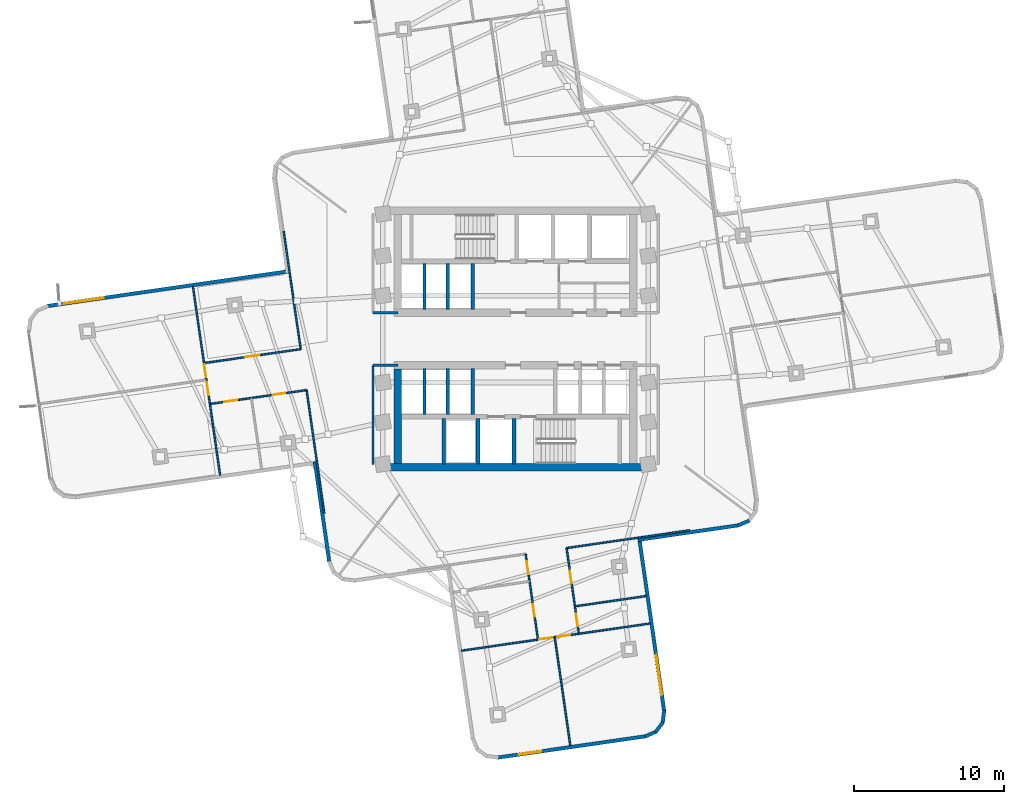
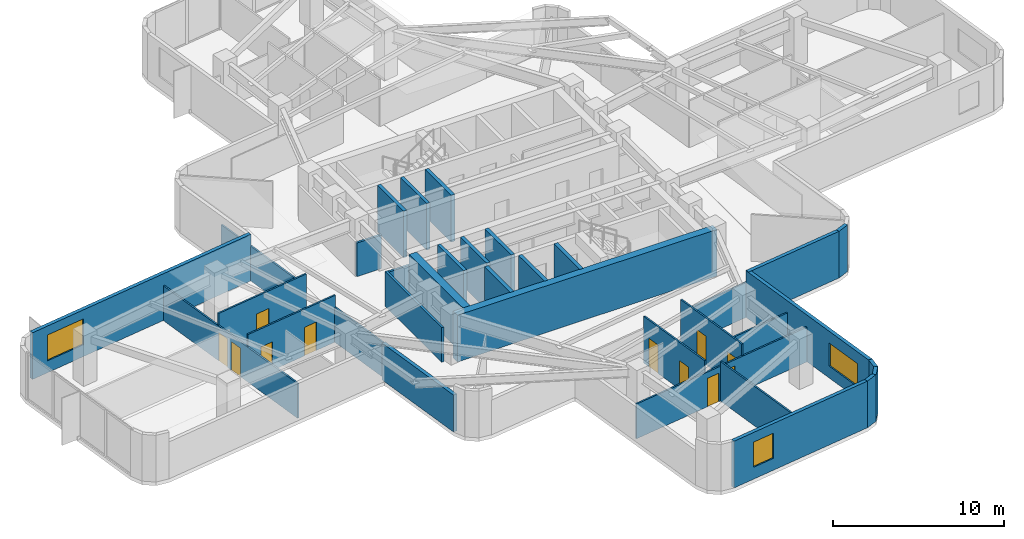
# One storey, part 6 of 13: 34 walls, 11 doors, 3 windows, 14 openings.
"""IFC4 building model written with IfcOpenShell, lengths in metres."""

from ifc_helpers import new_model, si_unit, direction, frame, frame_2d, origin, place, context, subcontext, project, spatial, rectangle, extrude, material, layer, layer_set, type_object, element, fill, save


model = new_model("IFC4")

# Units and contexts
model_context = context("Model", 3, precision=1e-05, world=origin(), true_north=direction((0.0, 1.0)))
body_context = subcontext(model_context, "Body", "Model", "MODEL_VIEW")
ifc_project = project(units=[si_unit("LENGTHUNIT", "METRE"), si_unit("AREAUNIT", "SQUARE_METRE"), si_unit("VOLUMEUNIT", "CUBIC_METRE"), si_unit("PLANEANGLEUNIT", "RADIAN"), si_unit("MASSUNIT", "GRAM", prefix="KILO")], contexts=[model_context])

# Site, building, storey
site_placement = place(None, origin())
site = spatial("IfcSite", under=ifc_project, at=site_placement, CompositionType="ELEMENT")
building_placement = place(site_placement, origin())
building = spatial("IfcBuilding", under=site, at=building_placement, Name="Solmarez Civic Tower", CompositionType="ELEMENT")
storey_placement = place(building_placement, frame((0.0, 0.0, 89.280029296875)))
storey = spatial("IfcBuildingStorey", under=building, at=storey_placement, Name="L23", CompositionType="ELEMENT", Elevation=89.280029296875)

# Walls
ifc_material_1 = material(Name="Concrete C60/75", Category="concrete")
ifc_layer_1 = layer(ifc_material_1, 0.5)
ifc_layer_set_1 = layer_set([ifc_layer_1], Name="Concrete C60/75")
wall_type_1 = type_object("IfcWallType", Name="WALL-CORE-500", PredefinedType="SHEAR", material=ifc_layer_set_1)
wall_1_placement = place(storey_placement, frame((8.780029296875, -8.56005859375, 0.0), z_axis=(0.0, 0.0, 1.0), x_axis=(-1.0, 0.0, 0.0)))
element("IfcWall", 1, at=wall_1_placement, inside=storey, type_object=wall_type_1, Name="L23 Split-Core Structural Wall SCW-S-L23", PredefinedType="SHEAR", context=body_context, shape_type="SweptSolid", body=[
    extrude(rectangle(XDim=17.56005859375, YDim=0.5, at=frame_2d((8.780029296875, 0.0))), origin(), (0.0, 0.0, 1.0), 3.340087890625),
])
wall_2_placement = place(storey_placement, frame((-7.8701171875, -8.31005859375, 0.0), z_axis=(0.0, 0.0, 1.0), x_axis=(0.0, 1.0, 0.0)))
element("IfcWall", 2, at=wall_2_placement, inside=storey, type_object=wall_type_1, Name="L23 Split-Core Structural Wall SCW-W-L23", PredefinedType="SHEAR", context=body_context, shape_type="SweptSolid", body=[
    extrude(rectangle(XDim=6.31005859375, YDim=0.5, at=frame_2d((3.155029296875, 0.0))), origin(), (0.0, 0.0, 1.0), 3.340087890625),
])

# Wall, opening, window
ifc_material_2 = material(Name="Precast concrete C40/50", Category="concrete")
ifc_layer_2 = layer(ifc_material_2, 0.239990234375)
ifc_layer_set_2 = layer_set([ifc_layer_2], Name="Precast concrete C40/50")
wall_type_2 = type_object("IfcWallType", Name="WALL-EXT-240", PredefinedType="SOLIDWALL", material=ifc_layer_set_2)
wall_3_placement = place(storey_placement, frame((-31.243896484375, 2.2060546875, 0.0), z_axis=(0.0, 0.0, 1.0), x_axis=(0.989771419035, 0.142662321802, 0.0)))
wall_3 = element("IfcWall", 3, at=wall_3_placement, inside=storey, type_object=wall_type_2, Name="L23 Exterior Precast Wall 10", PredefinedType="SOLIDWALL", context=body_context, shape_type="SweptSolid", body=[
    extrude(rectangle(XDim=16.2763671875, YDim=0.239990234375, at=frame_2d((8.13818359375, 0.0))), origin(), (0.0, 0.0, 1.0), 3.340087890625),
])
opening_1_placement = place(wall_3_placement, frame((1.10009765625, 0.0, 0.85009765625)))
opening_1 = element("IfcOpeningElement", 4, at=opening_1_placement, cuts=wall_3, Name="Opening W-05", PredefinedType="OPENING", context=body_context, shape_type="SweptSolid", body=[
    extrude(rectangle(XDim=2.699951171875, YDim=1.85009765625, at=frame_2d((1.35009765625, 0.925048828125))), frame((0.0, 0.1298828125, 0.0), z_axis=(0.0, -1.0, 0.0), x_axis=(1.0, 0.0, 0.0)), (0.0, 0.0, 1.0), 0.260009765625),
])
ifc_material_3 = material(Name="Solar Control Bronze-Tinted Insulating Glass", Category="glass")
window_type_1 = type_object("IfcWindowType", Name="WIN-2700X1850", PartitioningType="SINGLE_PANEL", PredefinedType="WINDOW", material=ifc_material_3)
window_1_placement = place(opening_1_placement, origin())
window_1 = element("IfcWindow", 5, at=window_1_placement, inside=storey, type_object=window_type_1, Name="L23 Exterior Facade Window 10", OverallHeight=1.85009765625, OverallWidth=2.699951171875, PartitioningType="SINGLE_PANEL", PredefinedType="WINDOW", context=body_context, shape_type="SweptSolid", body=[
    extrude(rectangle(XDim=2.699951171875, YDim=1.85009765625, at=frame_2d((1.35009765625, 0.925048828125))), frame((0.0, 0.030029296875, 0.0), z_axis=(0.0, -1.0, 0.0), x_axis=(1.0, 0.0, 0.0)), (0.0, 0.0, 1.0), 0.06005859375),
])
fill(opening_1, window_1)

# Walls
wall_4_placement = place(storey_placement, frame((15.60009765625, -12.1201171875, 0.0), z_axis=(0.0, 0.0, 1.0), x_axis=(-0.918795004047, -0.394735025731, 0.0)))
element("IfcWall", 6, at=wall_4_placement, inside=storey, type_object=wall_type_2, Name="L23 Exterior Precast Wall 52", PredefinedType="SOLIDWALL", context=body_context, shape_type="SweptSolid", body=[
    extrude(rectangle(XDim=0.83056640625, YDim=0.239990234375, at=frame_2d((0.415283203125, 0.0))), origin(), (0.0, 0.0, 1.0), 3.340087890625),
])
wall_5_placement = place(storey_placement, frame((14.885009765625, -12.43408203125, 0.0), z_axis=(0.0, 0.0, 1.0), x_axis=(-0.989767068769, -0.142692500085, 0.0)))
element("IfcWall", 7, at=wall_5_placement, inside=storey, type_object=wall_type_2, Name="L23 Exterior Precast Wall 53", PredefinedType="SOLIDWALL", context=body_context, shape_type="SweptSolid", body=[
    extrude(rectangle(XDim=6.775390625, YDim=0.239990234375, at=frame_2d((3.3876953125, 0.0))), origin(), (0.0, 0.0, 1.0), 3.340087890625),
])

# Wall, opening, window
wall_6_placement = place(storey_placement, frame((8.260009765625, -13.2919921875, 0.0), z_axis=(0.0, 0.0, 1.0), x_axis=(0.142694701612, -0.989766751377, 0.0)))
wall_6 = element("IfcWall", 8, at=wall_6_placement, inside=storey, type_object=wall_type_2, Name="L23 Exterior Precast Wall 56", PredefinedType="SOLIDWALL", context=body_context, shape_type="SweptSolid", body=[
    extrude(rectangle(XDim=11.67529296875, YDim=0.239990234375, at=frame_2d((5.837646484375, 0.0))), origin(), (0.0, 0.0, 1.0), 3.340087890625),
])
opening_2_placement = place(wall_6_placement, frame((7.875, 0.0, 0.85009765625)))
opening_2 = element("IfcOpeningElement", 9, at=opening_2_placement, cuts=wall_6, Name="Opening W-09", PredefinedType="OPENING", context=body_context, shape_type="SweptSolid", body=[
    extrude(rectangle(XDim=2.699951171875, YDim=1.64990234375, at=frame_2d((1.35009765625, 0.824951171875))), frame((0.0, 0.1298828125, 0.0), z_axis=(0.0, -1.0, 0.0), x_axis=(1.0, 0.0, 0.0)), (0.0, 0.0, 1.0), 0.260009765625),
])
window_type_2 = type_object("IfcWindowType", Name="WIN-2700X1650", PartitioningType="SINGLE_PANEL", PredefinedType="WINDOW", material=ifc_material_3)
window_2_placement = place(opening_2_placement, origin())
window_2 = element("IfcWindow", 10, at=window_2_placement, inside=storey, type_object=window_type_2, Name="L23 Exterior Facade Window 56", OverallHeight=1.64990234375, OverallWidth=2.699951171875, PartitioningType="SINGLE_PANEL", PredefinedType="WINDOW", context=body_context, shape_type="SweptSolid", body=[
    extrude(rectangle(XDim=2.699951171875, YDim=1.64990234375, at=frame_2d((1.35009765625, 0.824951171875))), frame((0.0, 0.030029296875, 0.0), z_axis=(0.0, -1.0, 0.0), x_axis=(1.0, 0.0, 0.0)), (0.0, 0.0, 1.0), 0.06005859375),
])
fill(opening_2, window_2)

# Walls
wall_7_placement = place(storey_placement, frame((9.925048828125, -24.798095703125, 0.0), z_axis=(0.0, 0.0, 1.0), x_axis=(-0.118136998224, -0.992997305963, 0.0)))
element("IfcWall", 11, at=wall_7_placement, inside=storey, type_object=wall_type_2, Name="L23 Exterior Precast Wall 57", PredefinedType="SOLIDWALL", context=body_context, shape_type="SweptSolid", body=[
    extrude(rectangle(XDim=0.830810546875, YDim=0.239990234375, at=frame_2d((0.41552734375, 0.0))), origin(), (0.0, 0.0, 1.0), 3.340087890625),
])
wall_8_placement = place(storey_placement, frame((9.844970703125, -25.577880859375, 0.0), z_axis=(0.0, 0.0, 1.0), x_axis=(-0.599759949003, -0.800179981986, 0.0)))
element("IfcWall", 12, at=wall_8_placement, inside=storey, type_object=wall_type_2, Name="L23 Exterior Precast Wall 58", PredefinedType="SOLIDWALL", context=body_context, shape_type="SweptSolid", body=[
    extrude(rectangle(XDim=0.813720703125, YDim=0.239990234375, at=frame_2d((0.40673828125, 0.0))), origin(), (0.0, 0.0, 1.0), 3.340087890625),
])
wall_9_placement = place(storey_placement, frame((9.39501953125, -26.198974609375, 0.0), z_axis=(0.0, 0.0, 1.0), x_axis=(-0.91864251547, -0.395089773053, 0.0)))
element("IfcWall", 13, at=wall_9_placement, inside=storey, type_object=wall_type_2, Name="L23 Exterior Precast Wall 59", PredefinedType="SOLIDWALL", context=body_context, shape_type="SweptSolid", body=[
    extrude(rectangle(XDim=0.83056640625, YDim=0.239990234375, at=frame_2d((0.415283203125, 0.0))), origin(), (0.0, 0.0, 1.0), 3.340087890625),
])

# Wall, opening, window
wall_10_placement = place(storey_placement, frame((8.679931640625, -26.512939453125, 0.0), z_axis=(0.0, 0.0, 1.0), x_axis=(-0.98976517122, -0.142705661552, 0.0)))
wall_10 = element("IfcWall", 14, at=wall_10_placement, inside=storey, type_object=wall_type_2, Name="L23 Exterior Precast Wall 60", PredefinedType="SOLIDWALL", context=body_context, shape_type="SweptSolid", body=[
    extrude(rectangle(XDim=9.97900390625, YDim=0.239990234375, at=frame_2d((4.989501953125, 0.0))), origin(), (0.0, 0.0, 1.0), 3.340087890625),
])
opening_3_placement = place(wall_10_placement, frame((7.033935546875, 0.0, 0.85009765625)))
opening_3 = element("IfcOpeningElement", 15, at=opening_3_placement, cuts=wall_10, Name="Opening W-13", PredefinedType="OPENING", context=body_context, shape_type="SweptSolid", body=[
    extrude(rectangle(XDim=1.5, YDim=1.800048828125, at=frame_2d((0.75, 0.89990234375))), frame((0.0, 0.1298828125, 0.0), z_axis=(0.0, -1.0, 0.0), x_axis=(1.0, 0.0, 0.0)), (0.0, 0.0, 1.0), 0.260009765625),
])
window_type_3 = type_object("IfcWindowType", Name="WIN-1500X1800", PartitioningType="SINGLE_PANEL", PredefinedType="WINDOW", material=ifc_material_3)
window_3_placement = place(opening_3_placement, origin())
window_3 = element("IfcWindow", 16, at=window_3_placement, inside=storey, type_object=window_type_3, Name="L23 Exterior Facade Window 60", OverallHeight=1.800048828125, OverallWidth=1.5, PartitioningType="SINGLE_PANEL", PredefinedType="WINDOW", context=body_context, shape_type="SweptSolid", body=[
    extrude(rectangle(XDim=1.5, YDim=1.800048828125, at=frame_2d((0.75, 0.89990234375))), frame((0.0, 0.030029296875, 0.0), z_axis=(0.0, -1.0, 0.0), x_axis=(1.0, 0.0, 0.0)), (0.0, 0.0, 1.0), 0.06005859375),
])
fill(opening_3, window_3)

# Walls
wall_11_placement = place(storey_placement, frame((-12.43408203125, -14.885009765625, 0.0), z_axis=(0.0, 0.0, 1.0), x_axis=(-0.142692500085, 0.989767068769, 0.0)))
element("IfcWall", 17, at=wall_11_placement, inside=storey, type_object=wall_type_2, Name="L23 Exterior Precast Wall 71", PredefinedType="SOLIDWALL", context=body_context, shape_type="SweptSolid", body=[
    extrude(rectangle(XDim=6.775390625, YDim=0.239990234375, at=frame_2d((3.3876953125, 0.0))), origin(), (0.0, 0.0, 1.0), 2.64404296875),
])
ifc_material_4 = material(Name="Gypsum Board Acoustic Steel-Stud Partition", Category="steel")
ifc_layer_3 = layer(ifc_material_4, 0.14990234375)
ifc_layer_set_3 = layer_set([ifc_layer_3], Name="Gypsum Board Acoustic Steel-Stud Partition")
wall_type_3 = type_object("IfcWallType", Name="WALL-INT-FIRE-150", PredefinedType="PARTITIONING", material=ifc_layer_set_3)
wall_12_placement = place(storey_placement, frame((-7.85009765625, 1.75, 0.0), z_axis=(0.0, 0.0, 1.0), x_axis=(-1.0, 0.0, 0.0)))
element("IfcWall", 18, at=wall_12_placement, inside=storey, type_object=wall_type_3, Name="L23 Interior Partition CHW-L23-WN3", PredefinedType="PARTITIONING", context=body_context, shape_type="SweptSolid", body=[
    extrude(rectangle(XDim=1.669921875, YDim=0.14990234375, at=frame_2d((0.8349609375, 0.0))), origin(), (0.0, 0.0, 1.0), 2.405029296875),
])
wall_13_placement = place(storey_placement, frame((-9.52001953125, -8.3798828125, 0.0), z_axis=(0.0, 0.0, 1.0), x_axis=(0.0, 1.0, 0.0)))
element("IfcWall", 19, at=wall_13_placement, inside=storey, type_object=wall_type_3, Name="L23 Interior Partition CHW-L23-WS1", PredefinedType="PARTITIONING", context=body_context, shape_type="SweptSolid", body=[
    extrude(rectangle(XDim=6.6298828125, YDim=0.14990234375, at=frame_2d((3.31494140625, 0.0))), origin(), (0.0, 0.0, 1.0), 2.486083984375),
])
wall_14_placement = place(storey_placement, frame((-7.85009765625, -1.75, 0.0), z_axis=(0.0, 0.0, 1.0), x_axis=(-1.0, 0.0, 0.0)))
element("IfcWall", 20, at=wall_14_placement, inside=storey, type_object=wall_type_3, Name="L23 Interior Partition CHW-L23-WS3", PredefinedType="PARTITIONING", context=body_context, shape_type="SweptSolid", body=[
    extrude(rectangle(XDim=1.669921875, YDim=0.14990234375, at=frame_2d((0.8349609375, 0.0))), origin(), (0.0, 0.0, 1.0), 2.405029296875),
])
ifc_layer_4 = layer(ifc_material_4, 0.110107421875)
ifc_layer_set_4 = layer_set([ifc_layer_4], Name="Gypsum Board Acoustic Steel-Stud Partition")
wall_type_4 = type_object("IfcWallType", Name="WALL-INT-PART-110", PredefinedType="PARTITIONING", material=ifc_layer_set_4)
wall_15_placement = place(storey_placement, frame((-13.948974609375, -3.39404296875, 0.0), z_axis=(0.0, 0.0, 1.0), x_axis=(0.142725091033, -0.989762369657, 0.0)))
element("IfcWall", 21, at=wall_15_placement, inside=storey, type_object=wall_type_4, Name="L23 Interior Partition PT-L23-W-EFL", PredefinedType="PARTITIONING", context=body_context, shape_type="SweptSolid", body=[
    extrude(rectangle(XDim=8.309814453125, YDim=0.110107421875, at=frame_2d((4.15478515625, 0.0))), origin(), (0.0, 0.0, 1.0), 2.486083984375),
])
wall_16_placement = place(storey_placement, frame((-15.47412109375, 7.18603515625, 0.0), z_axis=(0.0, 0.0, 1.0), x_axis=(0.142779920322, -0.989754461648, 0.0)))
element("IfcWall", 22, at=wall_16_placement, inside=storey, type_object=wall_type_4, Name="L23 Interior Partition PT-L23-W-EFR", PredefinedType="PARTITIONING", context=body_context, shape_type="SweptSolid", body=[
    extrude(rectangle(XDim=7.949462890625, YDim=0.110107421875, at=frame_2d((3.974609375, 0.0))), origin(), (0.0, 0.0, 1.0), 2.486083984375),
])

# Wall, openings, doors
wall_17_placement = place(storey_placement, frame((-20.39990234375, -4.333984375, 0.0), z_axis=(0.0, 0.0, 1.0), x_axis=(0.989774990044, 0.142637544439, 0.0)))
wall_17 = element("IfcWall", 23, at=wall_17_placement, inside=storey, type_object=wall_type_4, Name="L23 Interior Partition PT-L23-W-SL", PredefinedType="PARTITIONING", context=body_context, shape_type="SweptSolid", body=[
    extrude(rectangle(XDim=6.51953125, YDim=0.110107421875, at=frame_2d((3.259765625, 0.0))), origin(), (0.0, 0.0, 1.0), 3.340087890625),
])
opening_4_placement = place(wall_17_placement, frame((4.22998046875, 0.0, 0.0)))
opening_4 = element("IfcOpeningElement", 24, at=opening_4_placement, cuts=wall_17, Name="Opening D-14", PredefinedType="OPENING", context=body_context, shape_type="SweptSolid", body=[
    extrude(rectangle(XDim=0.860107421875, YDim=2.0400390625, at=frame_2d((0.43017578125, 1.02001953125))), frame((0.0, 0.06494140625, 0.0), z_axis=(0.0, -1.0, 0.0), x_axis=(1.0, 0.0, 0.0)), (0.0, 0.0, 1.0), 0.130126953125),
])
opening_5_placement = place(wall_17_placement, frame((0.969970703125, 0.0, 0.0)))
opening_5 = element("IfcOpeningElement", 25, at=opening_5_placement, cuts=wall_17, Name="Opening D-14", PredefinedType="OPENING", context=body_context, shape_type="SweptSolid", body=[
    extrude(rectangle(XDim=0.860107421875, YDim=2.0400390625, at=frame_2d((0.43017578125, 1.02001953125))), frame((0.0, 0.06494140625, 0.0), z_axis=(0.0, -1.0, 0.0), x_axis=(1.0, 0.0, 0.0)), (0.0, 0.0, 1.0), 0.130126953125),
])
ifc_material_5 = material(Name="Timber Storage and Pantry Door", Category="wood")
door_type_1 = type_object("IfcDoorType", Name="DOOR-INT-850", OperationType="NOTDEFINED", PredefinedType="DOOR", material=ifc_material_5)
door_1_placement = place(opening_4_placement, origin())
door_1 = element("IfcDoor", 26, at=door_1_placement, inside=storey, type_object=door_type_1, Name="L23 Protocol Reception Room First West Door", OperationType="SINGLE_SWING_LEFT", OverallHeight=2.0400390625, OverallWidth=0.860107421875, PredefinedType="DOOR", context=body_context, shape_type="SweptSolid", body=[
    extrude(rectangle(XDim=0.860107421875, YDim=2.0400390625, at=frame_2d((0.43017578125, 1.02001953125))), frame((0.0, 0.02490234375, 0.0), z_axis=(0.0, -1.0, 0.0), x_axis=(1.0, 0.0, 0.0)), (0.0, 0.0, 1.0), 0.050048828125),
])
fill(opening_4, door_1)
door_2_placement = place(opening_5_placement, origin())
door_2 = element("IfcDoor", 27, at=door_2_placement, inside=storey, type_object=door_type_1, Name="L23 Security Control Room Second West Door", OperationType="SINGLE_SWING_RIGHT", OverallHeight=2.0400390625, OverallWidth=0.860107421875, PredefinedType="DOOR", context=body_context, shape_type="SweptSolid", body=[
    extrude(rectangle(XDim=0.860107421875, YDim=2.0400390625, at=frame_2d((0.43017578125, 1.02001953125))), frame((0.0, 0.02490234375, 0.0), z_axis=(0.0, -1.0, 0.0), x_axis=(1.0, 0.0, 0.0)), (0.0, 0.0, 1.0), 0.050048828125),
])
fill(opening_5, door_2)

# Wall, opening, door
wall_18_placement = place(storey_placement, frame((-14.341064453125, -0.672119140625, 0.0), z_axis=(0.0, 0.0, 1.0), x_axis=(-0.989774990044, -0.142637544439, 0.0)))
wall_18 = element("IfcWall", 28, at=wall_18_placement, inside=storey, type_object=wall_type_4, Name="L23 Interior Partition PT-L23-W-SR", PredefinedType="PARTITIONING", context=body_context, shape_type="SweptSolid", body=[
    extrude(rectangle(XDim=6.51953125, YDim=0.110107421875, at=frame_2d((3.259765625, 0.0))), origin(), (0.0, 0.0, 1.0), 3.340087890625),
])
opening_6_placement = place(wall_18_placement, frame((2.780029296875, 0.0, 0.0)))
opening_6 = element("IfcOpeningElement", 29, at=opening_6_placement, cuts=wall_18, Name="Opening D-10", PredefinedType="OPENING", context=body_context, shape_type="SweptSolid", body=[
    extrude(rectangle(XDim=0.949951171875, YDim=2.080078125, at=frame_2d((0.47509765625, 1.0400390625))), frame((0.0, 0.06494140625, 0.0), z_axis=(0.0, -1.0, 0.0), x_axis=(1.0, 0.0, 0.0)), (0.0, 0.0, 1.0), 0.130126953125),
])
ifc_material_6 = material(Name="Solid-Core Timber Ministry Office Door", Category="wood")
door_type_2 = type_object("IfcDoorType", Name="DOOR-INT-950", OperationType="NOTDEFINED", PredefinedType="DOOR", material=ifc_material_6)
door_3_placement = place(opening_6_placement, origin())
door_3 = element("IfcDoor", 30, at=door_3_placement, inside=storey, type_object=door_type_2, Name="L23 Executive Boardroom Third West Door", OperationType="SINGLE_SWING_RIGHT", OverallHeight=2.080078125, OverallWidth=0.949951171875, PredefinedType="DOOR", context=body_context, shape_type="SweptSolid", body=[
    extrude(rectangle(XDim=0.949951171875, YDim=2.080078125, at=frame_2d((0.47509765625, 1.0400390625))), frame((0.0, 0.02490234375, 0.0), z_axis=(0.0, -1.0, 0.0), x_axis=(1.0, 0.0, 0.0)), (0.0, 0.0, 1.0), 0.050048828125),
])
fill(opening_6, door_3)

# Wall, openings, doors
wall_19_placement = place(storey_placement, frame((-19.712890625, -9.10009765625, 0.0), z_axis=(0.0, 0.0, 1.0), x_axis=(-0.142667743944, 0.98977063749, 0.0)))
wall_19 = element("IfcWall", 31, at=wall_19_placement, inside=storey, type_object=wall_type_4, Name="L23 Interior Partition PT-L23-W-END", PredefinedType="PARTITIONING", context=body_context, shape_type="SweptSolid", body=[
    extrude(rectangle(XDim=12.75048828125, YDim=0.110107421875, at=frame_2d((6.375244140625, 0.0))), origin(), (0.0, 0.0, 1.0), 2.486083984375),
])
opening_7_placement = place(wall_19_placement, frame((6.614990234375, 0.0, 0.0)))
opening_7 = element("IfcOpeningElement", 32, at=opening_7_placement, cuts=wall_19, Name="Opening D-14", PredefinedType="OPENING", context=body_context, shape_type="SweptSolid", body=[
    extrude(rectangle(XDim=0.860107421875, YDim=2.0400390625, at=frame_2d((0.43017578125, 1.02001953125))), frame((0.0, 0.06494140625, 0.0), z_axis=(0.0, -1.0, 0.0), x_axis=(1.0, 0.0, 0.0)), (0.0, 0.0, 1.0), 0.130126953125),
])
opening_8_placement = place(wall_19_placement, frame((5.4140625, 0.0, 0.0)))
opening_8 = element("IfcOpeningElement", 33, at=opening_8_placement, cuts=wall_19, Name="Opening D-14", PredefinedType="OPENING", context=body_context, shape_type="SweptSolid", body=[
    extrude(rectangle(XDim=0.860107421875, YDim=2.0400390625, at=frame_2d((0.43017578125, 1.02001953125))), frame((0.0, 0.06494140625, 0.0), z_axis=(0.0, -1.0, 0.0), x_axis=(1.0, 0.0, 0.0)), (0.0, 0.0, 1.0), 0.130126953125),
])
door_4_placement = place(opening_7_placement, origin())
door_4 = element("IfcDoor", 34, at=door_4_placement, inside=storey, type_object=door_type_1, Name="L23 Diplomatic Sitting Lounge Sixth West Door", OperationType="SINGLE_SWING_RIGHT", OverallHeight=2.0400390625, OverallWidth=0.860107421875, PredefinedType="DOOR", context=body_context, shape_type="SweptSolid", body=[
    extrude(rectangle(XDim=0.860107421875, YDim=2.0400390625, at=frame_2d((0.43017578125, 1.02001953125))), frame((0.0, 0.02490234375, 0.0), z_axis=(0.0, -1.0, 0.0), x_axis=(1.0, 0.0, 0.0)), (0.0, 0.0, 1.0), 0.050048828125),
])
fill(opening_7, door_4)
door_5_placement = place(opening_8_placement, origin())
door_5 = element("IfcDoor", 35, at=door_5_placement, inside=storey, type_object=door_type_1, Name="L23 Executive Boardroom Fifth West Door", OperationType="SINGLE_SWING_LEFT", OverallHeight=2.0400390625, OverallWidth=0.860107421875, PredefinedType="DOOR", context=body_context, shape_type="SweptSolid", body=[
    extrude(rectangle(XDim=0.860107421875, YDim=2.0400390625, at=frame_2d((0.43017578125, 1.02001953125))), frame((0.0, 0.02490234375, 0.0), z_axis=(0.0, -1.0, 0.0), x_axis=(1.0, 0.0, 0.0)), (0.0, 0.0, 1.0), 0.050048828125),
])
fill(opening_8, door_5)

# Walls
wall_20_placement = place(storey_placement, frame((3.39404296875, -13.948974609375, 0.0), z_axis=(0.0, 0.0, 1.0), x_axis=(0.989762369657, 0.142725091033, 0.0)))
element("IfcWall", 36, at=wall_20_placement, inside=storey, type_object=wall_type_4, Name="L23 Interior Partition PT-L23-S-EFL", PredefinedType="PARTITIONING", context=body_context, shape_type="SweptSolid", body=[
    extrude(rectangle(XDim=8.309814453125, YDim=0.110107421875, at=frame_2d((4.15478515625, 0.0))), origin(), (0.0, 0.0, 1.0), 2.486083984375),
])
wall_21_placement = place(storey_placement, frame((3.98388671875, -17.833984375, 0.0), z_axis=(0.0, 0.0, 1.0), x_axis=(0.989771535394, 0.142661514515, 0.0)))
element("IfcWall", 37, at=wall_21_placement, inside=storey, type_object=wall_type_4, Name="L23 Interior Partition PT-L23-S-LM", PredefinedType="PARTITIONING", context=body_context, shape_type="SweptSolid", body=[
    extrude(rectangle(XDim=4.795166015625, YDim=0.110107421875, at=frame_2d((2.3974609375, 0.0))), origin(), (0.0, 0.0, 1.0), 2.486083984375),
])

# Wall, openings, doors
wall_22_placement = place(storey_placement, frame((4.22802734375, -19.66796875, 0.0), z_axis=(0.0, 0.0, 1.0), x_axis=(-0.142556647725, 0.989786644782, 0.0)))
wall_22 = element("IfcWall", 38, at=wall_22_placement, inside=storey, type_object=wall_type_4, Name="L23 Interior Partition PT-L23-S-SL", PredefinedType="PARTITIONING", context=body_context, shape_type="SweptSolid", body=[
    extrude(rectangle(XDim=5.780029296875, YDim=0.110107421875, at=frame_2d((2.89013671875, 0.0))), origin(), (0.0, 0.0, 1.0), 3.340087890625),
])
opening_9_placement = place(wall_22_placement, frame((3.385009765625, 0.0, 0.0)))
opening_9 = element("IfcOpeningElement", 39, at=opening_9_placement, cuts=wall_22, Name="Opening D-14", PredefinedType="OPENING", context=body_context, shape_type="SweptSolid", body=[
    extrude(rectangle(XDim=0.860107421875, YDim=2.0400390625, at=frame_2d((0.43017578125, 1.02001953125))), frame((0.0, 0.06494140625, 0.0), z_axis=(0.0, -1.0, 0.0), x_axis=(1.0, 0.0, 0.0)), (0.0, 0.0, 1.0), 0.130126953125),
])
opening_10_placement = place(wall_22_placement, frame((0.4951171875, 0.0, 0.0)))
opening_10 = element("IfcOpeningElement", 40, at=opening_10_placement, cuts=wall_22, Name="Opening D-14", PredefinedType="OPENING", context=body_context, shape_type="SweptSolid", body=[
    extrude(rectangle(XDim=0.860107421875, YDim=2.0400390625, at=frame_2d((0.43017578125, 1.02001953125))), frame((0.0, 0.06494140625, 0.0), z_axis=(0.0, -1.0, 0.0), x_axis=(1.0, 0.0, 0.0)), (0.0, 0.0, 1.0), 0.130126953125),
])
door_6_placement = place(opening_9_placement, origin())
door_6 = element("IfcDoor", 41, at=door_6_placement, inside=storey, type_object=door_type_1, Name="L23 Security Control Room First South Door", OperationType="SINGLE_SWING_LEFT", OverallHeight=2.0400390625, OverallWidth=0.860107421875, PredefinedType="DOOR", context=body_context, shape_type="SweptSolid", body=[
    extrude(rectangle(XDim=0.860107421875, YDim=2.0400390625, at=frame_2d((0.43017578125, 1.02001953125))), frame((0.0, 0.02490234375, 0.0), z_axis=(0.0, -1.0, 0.0), x_axis=(1.0, 0.0, 0.0)), (0.0, 0.0, 1.0), 0.050048828125),
])
fill(opening_9, door_6)
door_7_placement = place(opening_10_placement, origin())
door_7 = element("IfcDoor", 42, at=door_7_placement, inside=storey, type_object=door_type_1, Name="L23 Executive Boardroom Second South Door", OperationType="SINGLE_SWING_RIGHT", OverallHeight=2.0400390625, OverallWidth=0.860107421875, PredefinedType="DOOR", context=body_context, shape_type="SweptSolid", body=[
    extrude(rectangle(XDim=0.860107421875, YDim=2.0400390625, at=frame_2d((0.43017578125, 1.02001953125))), frame((0.0, 0.02490234375, 0.0), z_axis=(0.0, -1.0, 0.0), x_axis=(1.0, 0.0, 0.0)), (0.0, 0.0, 1.0), 0.050048828125),
])
fill(opening_10, door_7)

wall_23_placement = place(storey_placement, frame((0.672119140625, -14.341064453125, 0.0), z_axis=(0.0, 0.0, 1.0), x_axis=(0.142722164178, -0.989762791709, 0.0)))
wall_23 = element("IfcWall", 43, at=wall_23_placement, inside=storey, type_object=wall_type_4, Name="L23 Interior Partition PT-L23-S-SR", PredefinedType="PARTITIONING", context=body_context, shape_type="SweptSolid", body=[
    extrude(rectangle(XDim=5.780029296875, YDim=0.110107421875, at=frame_2d((2.89013671875, 0.0))), origin(), (0.0, 0.0, 1.0), 3.340087890625),
])
opening_11_placement = place(wall_23_placement, frame((0.4951171875, 0.0, 0.0)))
opening_11 = element("IfcOpeningElement", 44, at=opening_11_placement, cuts=wall_23, Name="Opening D-14", PredefinedType="OPENING", context=body_context, shape_type="SweptSolid", body=[
    extrude(rectangle(XDim=0.860107421875, YDim=2.0400390625, at=frame_2d((0.43017578125, 1.02001953125))), frame((0.0, 0.06494140625, 0.0), z_axis=(0.0, -1.0, 0.0), x_axis=(1.0, 0.0, 0.0)), (0.0, 0.0, 1.0), 0.130126953125),
])
opening_12_placement = place(wall_23_placement, frame((3.385009765625, 0.0, 0.0)))
opening_12 = element("IfcOpeningElement", 45, at=opening_12_placement, cuts=wall_23, Name="Opening D-14", PredefinedType="OPENING", context=body_context, shape_type="SweptSolid", body=[
    extrude(rectangle(XDim=0.860107421875, YDim=2.0400390625, at=frame_2d((0.43017578125, 1.02001953125))), frame((0.0, 0.06494140625, 0.0), z_axis=(0.0, -1.0, 0.0), x_axis=(1.0, 0.0, 0.0)), (0.0, 0.0, 1.0), 0.130126953125),
])
door_8_placement = place(opening_11_placement, origin())
door_8 = element("IfcDoor", 46, at=door_8_placement, inside=storey, type_object=door_type_1, Name="L23 Diplomatic Sitting Lounge Third South Door", OperationType="SINGLE_SWING_RIGHT", OverallHeight=2.0400390625, OverallWidth=0.860107421875, PredefinedType="DOOR", context=body_context, shape_type="SweptSolid", body=[
    extrude(rectangle(XDim=0.860107421875, YDim=2.0400390625, at=frame_2d((0.43017578125, 1.02001953125))), frame((0.0, 0.02490234375, 0.0), z_axis=(0.0, -1.0, 0.0), x_axis=(1.0, 0.0, 0.0)), (0.0, 0.0, 1.0), 0.050048828125),
])
fill(opening_11, door_8)
door_9_placement = place(opening_12_placement, origin())
door_9 = element("IfcDoor", 47, at=door_9_placement, inside=storey, type_object=door_type_1, Name="L23 Protocol Reception Room Fourth South Door", OperationType="SINGLE_SWING_LEFT", OverallHeight=2.0400390625, OverallWidth=0.860107421875, PredefinedType="DOOR", context=body_context, shape_type="SweptSolid", body=[
    extrude(rectangle(XDim=0.860107421875, YDim=2.0400390625, at=frame_2d((0.43017578125, 1.02001953125))), frame((0.0, 0.02490234375, 0.0), z_axis=(0.0, -1.0, 0.0), x_axis=(1.0, 0.0, 0.0)), (0.0, 0.0, 1.0), 0.050048828125),
])
fill(opening_12, door_9)

# Wall
wall_24_placement = place(storey_placement, frame((2.6240234375, -19.9599609375, 0.0), z_axis=(0.0, 0.0, 1.0), x_axis=(0.142583297559, -0.989782806103, 0.0)))
element("IfcWall", 48, at=wall_24_placement, inside=storey, type_object=wall_type_4, Name="L23 Interior Partition PT-L23-S-TM", PredefinedType="PARTITIONING", context=body_context, shape_type="SweptSolid", body=[
    extrude(rectangle(XDim=7.26513671875, YDim=0.110107421875, at=frame_2d((3.632568359375, 0.0))), origin(), (0.0, 0.0, 1.0), 2.83203125),
])

# Wall, openings, doors
wall_25_placement = place(storey_placement, frame((8.993896484375, -18.98095703125, 0.0), z_axis=(0.0, 0.0, 1.0), x_axis=(-0.989779502996, -0.14260622514, 0.0)))
wall_25 = element("IfcWall", 49, at=wall_25_placement, inside=storey, type_object=wall_type_4, Name="L23 Interior Partition PT-L23-S-END", PredefinedType="PARTITIONING", context=body_context, shape_type="SweptSolid", body=[
    extrude(rectangle(XDim=12.749267578125, YDim=0.110107421875, at=frame_2d((6.37451171875, 0.0))), origin(), (0.0, 0.0, 1.0), 2.486083984375),
])
opening_13_placement = place(wall_25_placement, frame((6.614990234375, 0.0, 0.0)))
opening_13 = element("IfcOpeningElement", 50, at=opening_13_placement, cuts=wall_25, Name="Opening D-14", PredefinedType="OPENING", context=body_context, shape_type="SweptSolid", body=[
    extrude(rectangle(XDim=0.860107421875, YDim=2.0400390625, at=frame_2d((0.43017578125, 1.02001953125))), frame((0.0, 0.06494140625, 0.0), z_axis=(0.0, -1.0, 0.0), x_axis=(1.0, 0.0, 0.0)), (0.0, 0.0, 1.0), 0.130126953125),
])
opening_14_placement = place(wall_25_placement, frame((5.4150390625, 0.0, 0.0)))
opening_14 = element("IfcOpeningElement", 51, at=opening_14_placement, cuts=wall_25, Name="Opening D-14", PredefinedType="OPENING", context=body_context, shape_type="SweptSolid", body=[
    extrude(rectangle(XDim=0.860107421875, YDim=2.0400390625, at=frame_2d((0.43017578125, 1.02001953125))), frame((0.0, 0.06494140625, 0.0), z_axis=(0.0, -1.0, 0.0), x_axis=(1.0, 0.0, 0.0)), (0.0, 0.0, 1.0), 0.130126953125),
])
door_10_placement = place(opening_13_placement, origin())
door_10 = element("IfcDoor", 52, at=door_10_placement, inside=storey, type_object=door_type_1, Name="L23 Protocol Reception Room Sixth South Door", OperationType="SINGLE_SWING_RIGHT", OverallHeight=2.0400390625, OverallWidth=0.860107421875, PredefinedType="DOOR", context=body_context, shape_type="SweptSolid", body=[
    extrude(rectangle(XDim=0.860107421875, YDim=2.0400390625, at=frame_2d((0.43017578125, 1.02001953125))), frame((0.0, 0.02490234375, 0.0), z_axis=(0.0, -1.0, 0.0), x_axis=(1.0, 0.0, 0.0)), (0.0, 0.0, 1.0), 0.050048828125),
])
fill(opening_13, door_10)
door_11_placement = place(opening_14_placement, origin())
door_11 = element("IfcDoor", 53, at=door_11_placement, inside=storey, type_object=door_type_1, Name="L23 Diplomatic Sitting Lounge Fifth South Door", OperationType="SINGLE_SWING_LEFT", OverallHeight=2.0400390625, OverallWidth=0.860107421875, PredefinedType="DOOR", context=body_context, shape_type="SweptSolid", body=[
    extrude(rectangle(XDim=0.860107421875, YDim=2.0400390625, at=frame_2d((0.43017578125, 1.02001953125))), frame((0.0, 0.02490234375, 0.0), z_axis=(0.0, -1.0, 0.0), x_axis=(1.0, 0.0, 0.0)), (0.0, 0.0, 1.0), 0.050048828125),
])
fill(opening_14, door_11)

# Walls
ifc_material_7 = material(Name="Concrete C50/60", Category="concrete")
ifc_layer_5 = layer(ifc_material_7, 0.300048828125)
ifc_layer_set_5 = layer_set([ifc_layer_5], Name="Concrete C50/60")
wall_type_5 = type_object("IfcWallType", Name="WALL-STR-300", PredefinedType="SOLIDWALL", material=ifc_layer_set_5)
wall_26_placement = place(storey_placement, frame((-2.85009765625, 1.97998046875, 0.0), z_axis=(0.0, 0.0, 1.0), x_axis=(0.0, 1.0, 0.0)))
element("IfcWall", 54, at=wall_26_placement, inside=storey, type_object=wall_type_5, Name="L23 Split-Core Structural Wall SHW-NL1-L23", PredefinedType="SOLIDWALL", context=body_context, shape_type="SweptSolid", body=[
    extrude(rectangle(XDim=3.070068359375, YDim=0.25, at=frame_2d((1.53515625, 0.0))), origin(), (0.0, 0.0, 1.0), 3.340087890625),
])
for number, where, z_axis, x_axis, name in (
    (55, (-0.10009765625, -8.340087890625, 0.0), (0.0, 0.0, 1.0), (0.0, 1.0, 0.0), "L23 Split-Core Structural Wall SHW-S1-L23"),
    (56, (-2.5, -8.340087890625, 0.0), (0.0, 0.0, 1.0), (0.0, 1.0, 0.0), "L23 Split-Core Structural Wall SHW-S2-L23"),
    (57, (-4.800048828125, -8.340087890625, 0.0), (0.0, 0.0, 1.0), (0.0, 1.0, 0.0), "L23 Split-Core Structural Wall SHW-S3-L23"),
):
    element("IfcWall", number, at=place(storey_placement, frame(where, z_axis=z_axis, x_axis=x_axis)), inside=storey, type_object=wall_type_5, Name=name, PredefinedType="SOLIDWALL", context=body_context, shape_type="SweptSolid", body=[
        extrude(rectangle(XDim=3.0400390625, YDim=0.25, at=frame_2d((1.52001953125, 0.0))), origin(), (0.0, 0.0, 1.0), 3.340087890625),
    ])
wall_27_placement = place(storey_placement, frame((-2.85009765625, -5.050048828125, 0.0), z_axis=(0.0, 0.0, 1.0), x_axis=(0.0, 1.0, 0.0)))
element("IfcWall", 58, at=wall_27_placement, inside=storey, type_object=wall_type_5, Name="L23 Split-Core Structural Wall SHW-SL1-L23", PredefinedType="SOLIDWALL", context=body_context, shape_type="SweptSolid", body=[
    extrude(rectangle(XDim=3.070068359375, YDim=0.25, at=frame_2d((1.53515625, 0.0))), origin(), (0.0, 0.0, 1.0), 3.340087890625),
])
for number, where, z_axis, x_axis, name in (
    (59, (-6.080078125, 1.97998046875, 0.0), (0.0, 0.0, 1.0), (0.0, 1.0, 0.0), "L23 Split-Core Structural Wall SHW-PLH-L23-1"),
    (60, (-4.52001953125, 1.97998046875, 0.0), (0.0, 0.0, 1.0), (0.0, 1.0, 0.0), "L23 Split-Core Structural Wall SHW-PLH-L23-2"),
    (61, (-6.080078125, -5.050048828125, 0.0), (0.0, 0.0, 1.0), (0.0, 1.0, 0.0), "L23 Split-Core Structural Wall SHW-PLM-L23-1"),
    (62, (-4.52001953125, -5.050048828125, 0.0), (0.0, 0.0, 1.0), (0.0, 1.0, 0.0), "L23 Split-Core Structural Wall SHW-PLM-L23-2"),
):
    element("IfcWall", number, at=place(storey_placement, frame(where, z_axis=z_axis, x_axis=x_axis)), inside=storey, type_object=wall_type_5, Name=name, PredefinedType="SOLIDWALL", context=body_context, shape_type="SweptSolid", body=[
        extrude(rectangle(XDim=3.070068359375, YDim=0.219970703125, at=frame_2d((1.53515625, 0.0))), origin(), (0.0, 0.0, 1.0), 3.340087890625),
    ])

save(model, "model.ifc")
